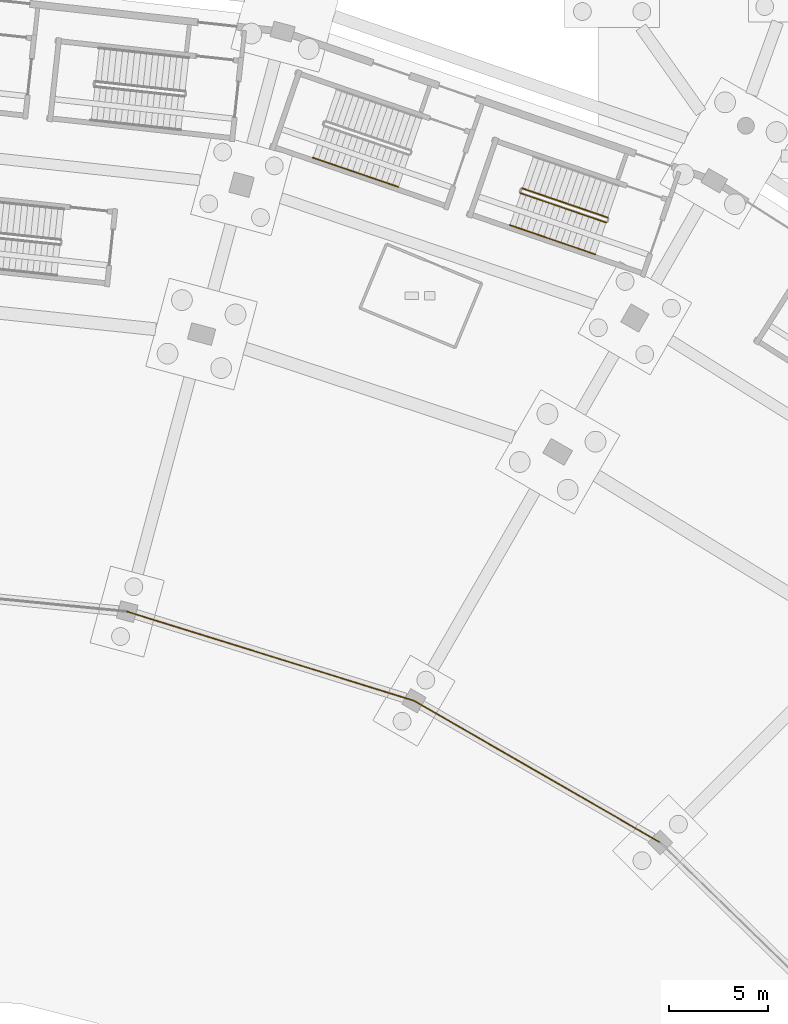
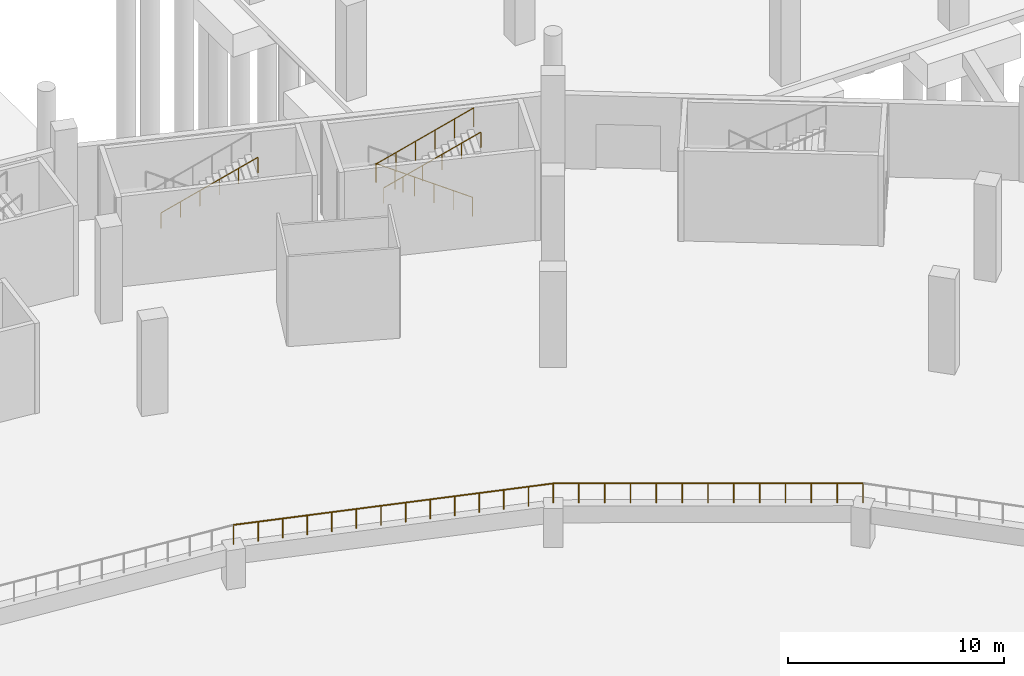
# One storey, part 96 of 103: 6 railings.
"""IFC4 building model written with IfcOpenShell, lengths in metres."""

from ifc_helpers import new_model, si_unit, direction, frame, origin, origin_2d, place, context, subcontext, project, spatial, circle, extrude, material, type_object, element, save


model = new_model("IFC4")

# Units and contexts
model_context = context("Model", 3, precision=1e-05, world=origin(), true_north=direction((0.0, 1.0)))
body_context = subcontext(model_context, "Body", "Model", "MODEL_VIEW")
ifc_project = project(units=[si_unit("LENGTHUNIT", "METRE"), si_unit("AREAUNIT", "SQUARE_METRE"), si_unit("VOLUMEUNIT", "CUBIC_METRE"), si_unit("PLANEANGLEUNIT", "RADIAN"), si_unit("MASSUNIT", "GRAM", prefix="KILO")], contexts=[model_context])

# Site, building, storey
site_placement = place(None, origin())
site = spatial("IfcSite", under=ifc_project, at=site_placement, CompositionType="ELEMENT")
building_placement = place(site_placement, origin())
building = spatial("IfcBuilding", under=site, at=building_placement, Name="Zevraka Park Crest Stadium", CompositionType="ELEMENT")
storey_placement = place(building_placement, origin())
storey = spatial("IfcBuildingStorey", under=building, at=storey_placement, Name="L00", CompositionType="ELEMENT", Elevation=0.0)

# Railings
ifc_material_1 = material(Name="Laminated glass and stainless steel sightline bowl guard", Category="steel")
railing_type_1 = type_object("IfcRailingType", Name="GR02", PredefinedType="GUARDRAIL", material=ifc_material_1)
railing_1_placement = place(storey_placement, frame((154.426025390625, 123.820068359375, 2.199951171875)))
element("IfcRailing", 1, at=railing_1_placement, inside=storey, type_object=railing_type_1, Name="Lower Tier Pitch Sightline Guard GR02 03", PredefinedType="GUARDRAIL", context=body_context, shape_type="SweptSolid", body=[
    extrude(circle(Radius=0.02392578125, at=origin_2d()), frame((0.0, 0.0, 1.09619140625), z_axis=(-0.866727982415, 0.498781118827, 0.0), x_axis=(-0.498781118827, -0.866727982415, 0.0)), (0.0, 0.0, 1.0), 14.336669921875),
    extrude(circle(Radius=0.02099609375, at=origin_2d()), origin(), (0.0, 0.0, 1.0), 1.072021484375),
    extrude(circle(Radius=0.02099609375, at=origin_2d()), frame((-1.035400390625, 0.595947265625, 0.0)), (0.0, 0.0, 1.0), 1.072021484375),
    extrude(circle(Radius=0.02099609375, at=origin_2d()), frame((-2.071044921875, 1.19189453125, 0.0)), (0.0, 0.0, 1.0), 1.072021484375),
    extrude(circle(Radius=0.02099609375, at=origin_2d()), frame((-3.1064453125, 1.78759765625, 0.0)), (0.0, 0.0, 1.0), 1.072021484375),
    extrude(circle(Radius=0.02099609375, at=origin_2d()), frame((-4.14208984375, 2.383544921875, 0.0)), (0.0, 0.0, 1.0), 1.072021484375),
    extrude(circle(Radius=0.02099609375, at=origin_2d()), frame((-5.177490234375, 2.9794921875, 0.0)), (0.0, 0.0, 1.0), 1.072021484375),
    extrude(circle(Radius=0.02099609375, at=origin_2d()), frame((-6.212890625, 3.575439453125, 0.0)), (0.0, 0.0, 1.0), 1.072021484375),
    extrude(circle(Radius=0.02099609375, at=origin_2d()), frame((-7.24853515625, 4.17138671875, 0.0)), (0.0, 0.0, 1.0), 1.072021484375),
    extrude(circle(Radius=0.02099609375, at=origin_2d()), frame((-8.283935546875, 4.767333984375, 0.0)), (0.0, 0.0, 1.0), 1.072021484375),
    extrude(circle(Radius=0.02099609375, at=origin_2d()), frame((-9.319580078125, 5.36328125, 0.0)), (0.0, 0.0, 1.0), 1.072021484375),
    extrude(circle(Radius=0.02099609375, at=origin_2d()), frame((-10.35498046875, 5.958984375, 0.0)), (0.0, 0.0, 1.0), 1.072021484375),
    extrude(circle(Radius=0.02099609375, at=origin_2d()), frame((-11.390625, 6.554931640625, 0.0)), (0.0, 0.0, 1.0), 1.072021484375),
    extrude(circle(Radius=0.02099609375, at=origin_2d()), frame((-12.426025390625, 7.15087890625, 0.0)), (0.0, 0.0, 1.0), 1.072021484375),
])
railing_2_placement = place(storey_placement, frame((142.0, 130.970947265625, 2.199951171875)))
element("IfcRailing", 2, at=railing_2_placement, inside=storey, type_object=railing_type_1, Name="Lower Tier Pitch Sightline Guard GR02 04", PredefinedType="GUARDRAIL", context=body_context, shape_type="SweptSolid", body=[
    extrude(circle(Radius=0.02392578125, at=origin_2d()), frame((0.0, 0.0, 1.09619140625), z_axis=(-0.954968624849, 0.296706800655, 0.0), x_axis=(-0.296706800655, -0.954968624849, 0.0)), (0.0, 0.0, 1.0), 15.1533203125),
    extrude(circle(Radius=0.02099609375, at=origin_2d()), origin(), (0.0, 0.0, 1.0), 1.072021484375),
    extrude(circle(Radius=0.02099609375, at=origin_2d()), frame((-1.113037109375, 0.345947265625, 0.0)), (0.0, 0.0, 1.0), 1.072021484375),
    extrude(circle(Radius=0.02099609375, at=origin_2d()), frame((-2.226318359375, 0.691650390625, 0.0)), (0.0, 0.0, 1.0), 1.072021484375),
    extrude(circle(Radius=0.02099609375, at=origin_2d()), frame((-3.33935546875, 1.03759765625, 0.0)), (0.0, 0.0, 1.0), 1.072021484375),
    extrude(circle(Radius=0.02099609375, at=origin_2d()), frame((-4.45263671875, 1.38330078125, 0.0)), (0.0, 0.0, 1.0), 1.072021484375),
    extrude(circle(Radius=0.02099609375, at=origin_2d()), frame((-5.565673828125, 1.729248046875, 0.0)), (0.0, 0.0, 1.0), 1.072021484375),
    extrude(circle(Radius=0.02099609375, at=origin_2d()), frame((-6.678955078125, 2.0751953125, 0.0)), (0.0, 0.0, 1.0), 1.072021484375),
    extrude(circle(Radius=0.02099609375, at=origin_2d()), frame((-7.7919921875, 2.4208984375, 0.0)), (0.0, 0.0, 1.0), 1.072021484375),
    extrude(circle(Radius=0.02099609375, at=origin_2d()), frame((-8.9052734375, 2.766845703125, 0.0)), (0.0, 0.0, 1.0), 1.072021484375),
    extrude(circle(Radius=0.02099609375, at=origin_2d()), frame((-10.018310546875, 3.11279296875, 0.0)), (0.0, 0.0, 1.0), 1.072021484375),
    extrude(circle(Radius=0.02099609375, at=origin_2d()), frame((-11.131591796875, 3.45849609375, 0.0)), (0.0, 0.0, 1.0), 1.072021484375),
    extrude(circle(Radius=0.02099609375, at=origin_2d()), frame((-12.24462890625, 3.804443359375, 0.0)), (0.0, 0.0, 1.0), 1.072021484375),
    extrude(circle(Radius=0.02099609375, at=origin_2d()), frame((-13.35791015625, 4.150146484375, 0.0)), (0.0, 0.0, 1.0), 1.072021484375),
    extrude(circle(Radius=0.02099609375, at=origin_2d()), frame((-14.470947265625, 4.49609375, 0.0)), (0.0, 0.0, 1.0), 1.072021484375),
])
ifc_material_2 = material(Name="Powder-coated tubular steel stairwell guard", Category="steel")
railing_type_2 = type_object("IfcRailingType", Name="GR03", PredefinedType="GUARDRAIL", material=ifc_material_2)
railing_3_placement = place(storey_placement, frame((151.781982421875, 155.350341796875, 0.168701171875)))
element("IfcRailing", 3, at=railing_3_placement, inside=storey, type_object=railing_type_2, Name="L00 ST05 stair guard 1", PredefinedType="GUARDRAIL", context=body_context, shape_type="SweptSolid", body=[
    extrude(circle(Radius=0.02392578125, at=origin_2d()), frame((0.0, 0.0, 1.076171875), z_axis=(-0.827816573081, 0.283471962049, 0.484110904716), x_axis=(-0.323965495677, -0.946068896863, 0.0)), (0.0, 0.0, 1.0), 5.228759765625),
    extrude(circle(Radius=0.02099609375, at=origin_2d()), origin(), (0.0, 0.0, 1.0), 1.052001953125),
    extrude(circle(Radius=0.02099609375, at=origin_2d()), frame((-0.86572265625, 0.29638671875, 0.50634765625)), (0.0, 0.0, 1.0), 1.052001953125),
    extrude(circle(Radius=0.02099609375, at=origin_2d()), frame((-1.7314453125, 0.5927734375, 1.012451171875)), (0.0, 0.0, 1.0), 1.052001953125),
    extrude(circle(Radius=0.02099609375, at=origin_2d()), frame((-2.596923828125, 0.889404296875, 1.518798828125)), (0.0, 0.0, 1.0), 1.052001953125),
    extrude(circle(Radius=0.02099609375, at=origin_2d()), frame((-3.462646484375, 1.185791015625, 2.02490234375)), (0.0, 0.0, 1.0), 1.052001953125),
    extrude(circle(Radius=0.02099609375, at=origin_2d()), frame((-4.328369140625, 1.482177734375, 2.53125)), (0.0, 0.0, 1.0), 1.052001953125),
])
railing_4_placement = place(storey_placement, frame((147.369384765625, 156.58642578125, 2.86865234375)))
element("IfcRailing", 4, at=railing_4_placement, inside=storey, type_object=railing_type_2, Name="L00 ST05 stair guard 3", PredefinedType="GUARDRAIL", context=body_context, shape_type="SweptSolid", body=[
    extrude(circle(Radius=0.02392578125, at=origin_2d()), frame((0.0, 0.0, 1.076171875), z_axis=(0.827816573081, -0.283471962049, 0.484110904716), x_axis=(0.323965495677, 0.946068896863, 0.0)), (0.0, 0.0, 1.0), 5.228759765625),
    extrude(circle(Radius=0.02099609375, at=origin_2d()), origin(), (0.0, 0.0, 1.0), 1.052001953125),
    extrude(circle(Radius=0.02099609375, at=origin_2d()), frame((0.86572265625, -0.29638671875, 0.50634765625)), (0.0, 0.0, 1.0), 1.052001953125),
    extrude(circle(Radius=0.02099609375, at=origin_2d()), frame((1.7314453125, -0.5927734375, 1.012451171875)), (0.0, 0.0, 1.0), 1.052001953125),
    extrude(circle(Radius=0.02099609375, at=origin_2d()), frame((2.596923828125, -0.889404296875, 1.518798828125)), (0.0, 0.0, 1.0), 1.052001953125),
    extrude(circle(Radius=0.02099609375, at=origin_2d()), frame((3.462646484375, -1.185791015625, 2.02490234375)), (0.0, 0.0, 1.0), 1.052001953125),
    extrude(circle(Radius=0.02099609375, at=origin_2d()), frame((4.328369140625, -1.482177734375, 2.53125)), (0.0, 0.0, 1.0), 1.052001953125),
])
ifc_material_3 = material(Name="Brushed stainless steel continuous handrail", Category="steel")
railing_type_3 = type_object("IfcRailingType", Name="HR01", PredefinedType="HANDRAIL", material=ifc_material_3)
for number, where, name in (
    (5, (146.818603515625, 154.978271484375, 2.86865234375), "L00 ST05 stair handrail 2"),
    (6, (136.884521484375, 158.379150390625, 2.86865234375), "L00 ST25 stair handrail 2"),
):
    element("IfcRailing", number, at=place(storey_placement, frame(where)), inside=storey, type_object=railing_type_3, Name=name, PredefinedType="HANDRAIL", context=body_context, shape_type="SweptSolid", body=[
        extrude(circle(Radius=0.02392578125, at=origin_2d()), frame((0.0, 0.0, 0.8759765625), z_axis=(0.827816573081, -0.283471962049, 0.484110904716), x_axis=(0.323965495677, 0.946068896863, 0.0)), (0.0, 0.0, 1.0), 5.228759765625),
        extrude(circle(Radius=0.02099609375, at=origin_2d()), origin(), (0.0, 0.0, 1.0), 0.851806640625),
        extrude(circle(Radius=0.02099609375, at=origin_2d()), frame((0.86572265625, -0.29638671875, 0.50634765625)), (0.0, 0.0, 1.0), 0.851806640625),
        extrude(circle(Radius=0.02099609375, at=origin_2d()), frame((1.7314453125, -0.5927734375, 1.012451171875)), (0.0, 0.0, 1.0), 0.851806640625),
        extrude(circle(Radius=0.02099609375, at=origin_2d()), frame((2.596923828125, -0.889404296875, 1.518798828125)), (0.0, 0.0, 1.0), 0.851806640625),
        extrude(circle(Radius=0.02099609375, at=origin_2d()), frame((3.462646484375, -1.185791015625, 2.02490234375)), (0.0, 0.0, 1.0), 0.851806640625),
        extrude(circle(Radius=0.02099609375, at=origin_2d()), frame((4.328369140625, -1.482177734375, 2.53125)), (0.0, 0.0, 1.0), 0.851806640625),
    ])

save(model, "model.ifc")
